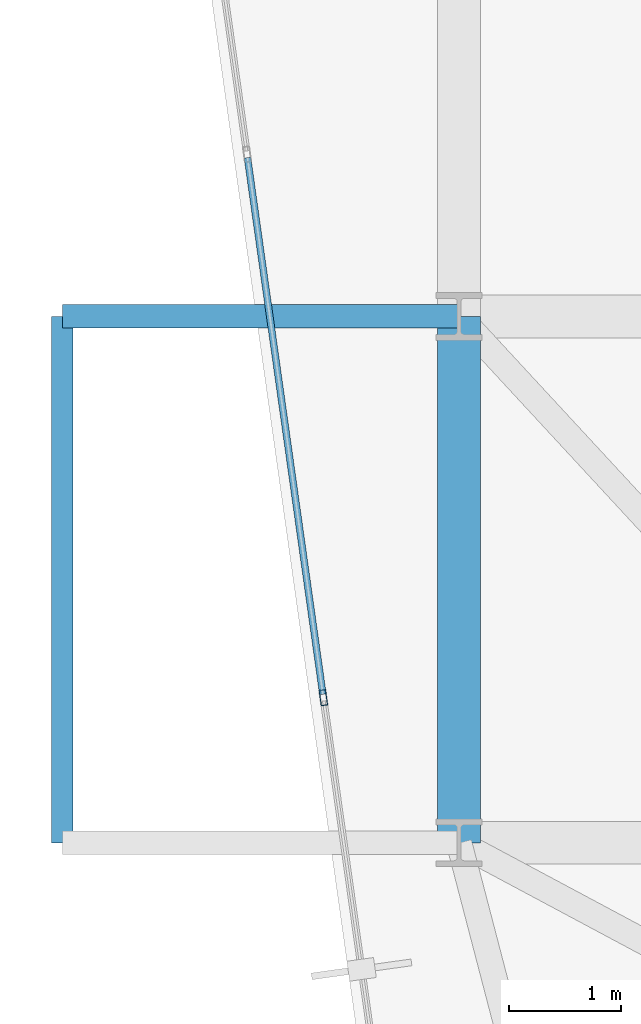
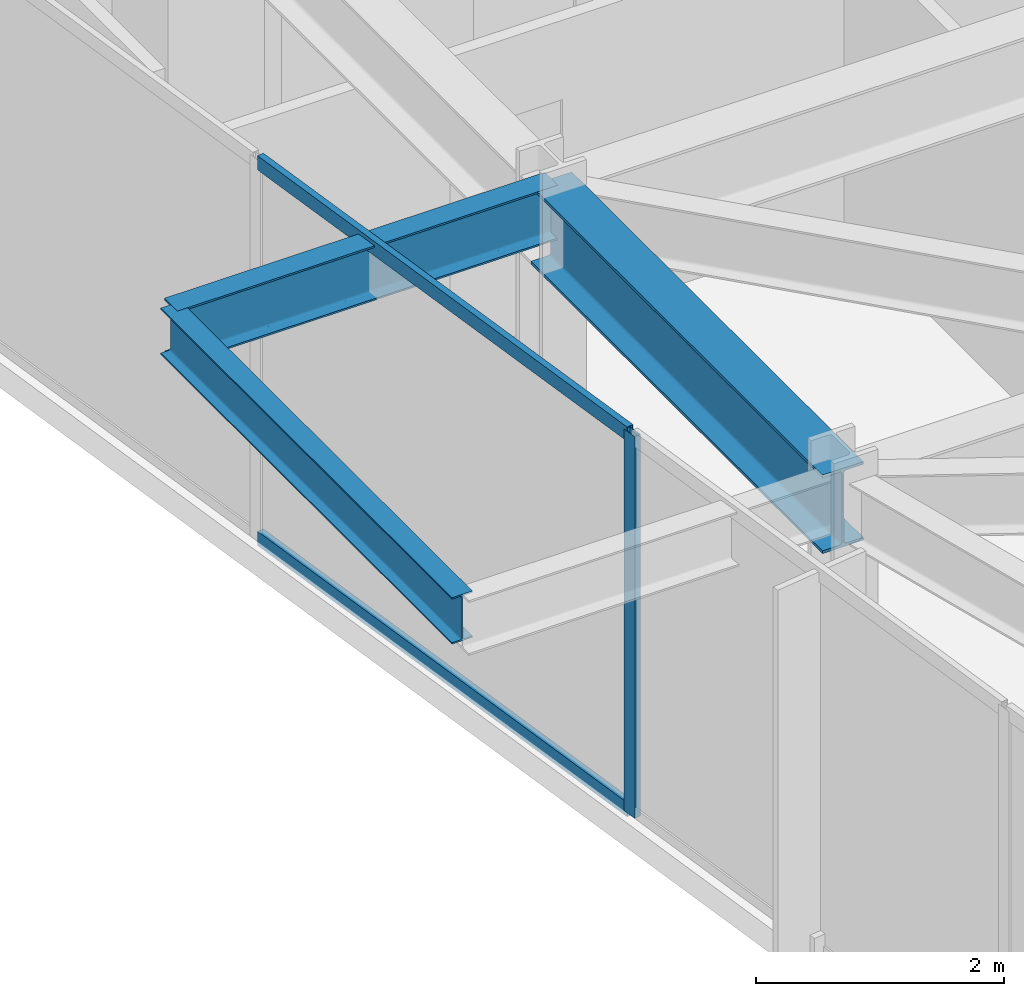
# One storey, part 9 of 26: 3 beams, 3 members, 1 element without a shape of its own.
"""IFC4 building model written with IfcOpenShell, lengths in metres."""

from ifc_helpers import new_model, si_unit, direction, frame, origin, origin_2d, place, context, subcontext, project, spatial, hollow_rectangle, i_section, extrude, material, layer, layer_set, material_profile, profile_set, type_object, element, aggregate, save


model = new_model("IFC4")

# Units and contexts
model_context = context("Model", 3, precision=1e-05, world=origin(), true_north=direction((0.0, 1.0)))
body_context = subcontext(model_context, "Body", "Model", "MODEL_VIEW")
ifc_project = project(units=[si_unit("LENGTHUNIT", "METRE"), si_unit("AREAUNIT", "SQUARE_METRE"), si_unit("VOLUMEUNIT", "CUBIC_METRE"), si_unit("PLANEANGLEUNIT", "RADIAN"), si_unit("MASSUNIT", "GRAM", prefix="KILO")], contexts=[model_context])

# Site, building, storey
site_placement = place(None, origin())
site = spatial("IfcSite", under=ifc_project, at=site_placement, CompositionType="ELEMENT")
building_placement = place(site_placement, origin())
building = spatial("IfcBuilding", under=site, at=building_placement, Name="Kravanh Interchange Tower", CompositionType="ELEMENT")
storey_placement = place(building_placement, frame((0.0, 0.0, 180.5)))
storey = spatial("IfcBuildingStorey", under=building, at=storey_placement, Name="L43", CompositionType="ELEMENT", Elevation=180.5)

# Curtain wall, members
ifc_material_1 = material(Name="Anodised Bronze Aluminium", Category="aluminium")
ifc_layer = layer(ifc_material_1, 0.179931640625)
ifc_layer_set = layer_set([ifc_layer], Name="Unitised Curtain Wall System CW-Z3 Upper Office")
curtain_wall_type = type_object("IfcCurtainWallType", Name="Unitised Curtain Wall System CW-Z3 Upper Office", PredefinedType="NOTDEFINED", material=ifc_layer_set)
curtain_wall_placement = place(storey_placement, origin())
curtain_wall = element("IfcCurtainWall", 1, at=curtain_wall_placement, inside=storey, type_object=curtain_wall_type, Name="L43 Unitised Curtain Wall CW-L43-01", PredefinedType="NOTDEFINED")
ifc_material_2 = material(Name="Anodised Bronze Aluminium", Category="aluminium")
ifc_material_profile_1 = material_profile(ifc_material_2, hollow_rectangle(XDim=0.06005859375, YDim=0.139892578125, WallThickness=0.00390625, at=origin_2d()), Name="ALU60X140X4")
ifc_profile_set_1 = profile_set([ifc_material_profile_1], Name="Anodised Bronze Aluminium")
member_type_1 = type_object("IfcMemberType", Name="Curtain Wall Mullion ALU60X140X4 Bronze", PredefinedType="MULLION", material=ifc_profile_set_1)
member_1_placement = place(storey_placement, frame((17.388671875, 28.09619140625, 0.0), z_axis=(0.0, 0.0, 1.0), x_axis=(-0.990268194035, -0.139172209446, 0.0)))
member_1 = element("IfcMember", 2, at=member_1_placement, type_object=member_type_1, Name="CW-Z3 mullion 4", PredefinedType="MULLION", context=body_context, shape_type="SweptSolid", body=[
    extrude(hollow_rectangle(XDim=0.06005859375, YDim=0.139892578125, WallThickness=0.00390625, at=origin_2d()), origin(), (0.0, 0.0, 1.0), 3.7548828125),
])
ifc_material_3 = material(Name="Anodised Bronze Aluminium", Category="aluminium")
ifc_material_profile_2 = material_profile(ifc_material_3, hollow_rectangle(XDim=0.06005859375, YDim=0.139892578125, WallThickness=0.00390625, at=origin_2d()), Name="ALU60X140X4")
ifc_profile_set_2 = profile_set([ifc_material_profile_2], Name="Anodised Bronze Aluminium")
member_type_2 = type_object("IfcMemberType", Name="Curtain Wall Transom ALU60X140X4 Bronze", PredefinedType="USERDEFINED", material=ifc_profile_set_2)
member_2_placement = place(storey_placement, frame((17.384521484375, 28.1259765625, 0.030029296875), z_axis=(-0.139182174391, 0.990266793512, 0.0), x_axis=(-0.990266793512, -0.139182174391, 0.0)))
member_2 = element("IfcMember", 3, at=member_2_placement, type_object=member_type_2, Name="CW-Z3 transom 4.1", ObjectType="TRANSOM", PredefinedType="USERDEFINED", context=body_context, shape_type="SweptSolid", body=[
    extrude(hollow_rectangle(XDim=0.06005859375, YDim=0.139892578125, WallThickness=0.00390625, at=origin_2d()), origin(), (0.0, 0.0, 1.0), 4.839599609375),
])
member_3_placement = place(storey_placement, frame((17.384521484375, 28.1259765625, 3.72509765625), z_axis=(-0.139182174391, 0.990266793512, 0.0), x_axis=(-0.990266793512, -0.139182174391, 0.0)))
member_3 = element("IfcMember", 4, at=member_3_placement, type_object=member_type_2, Name="CW-Z3 transom 4.2", ObjectType="TRANSOM", PredefinedType="USERDEFINED", context=body_context, shape_type="SweptSolid", body=[
    extrude(hollow_rectangle(XDim=0.06005859375, YDim=0.139892578125, WallThickness=0.00390625, at=origin_2d()), origin(), (0.0, 0.0, 1.0), 4.839599609375),
])
aggregate(curtain_wall, [member_1, member_2, member_3])

# Beams
ifc_material_4 = material(Name="Structural Steel S355", Category="steel")
ifc_material_profile_3 = material_profile(ifc_material_4, i_section(OverallWidth=0.381103515625, OverallDepth=0.77294921875, WebThickness=0.0166015625, FlangeThickness=0.027099609375, FilletRadius=0.02490234375, at=origin_2d()), Name="W30X173")
ifc_profile_set_3 = profile_set([ifc_material_profile_3], Name="Structural Steel S355")
beam_type_1 = type_object("IfcBeamType", Name="Floor Beam W30X173 Structural Steel S355", PredefinedType="BEAM", material=ifc_profile_set_3)
beam_1_placement = place(storey_placement, frame((18.60009765625, 26.800048828125, 3.368408203125), z_axis=(0.0, 1.0, 0.0), x_axis=(-1.0, 0.0, 0.0)))
element("IfcBeam", 5, at=beam_1_placement, inside=storey, type_object=beam_type_1, Name="L43 Primary Floor Girder 33", PredefinedType="BEAM", context=body_context, shape_type="SweptSolid", body=[
    extrude(i_section(OverallWidth=0.381103515625, OverallDepth=0.77294921875, WebThickness=0.0166015625, FlangeThickness=0.027099609375, FilletRadius=0.02490234375, at=origin_2d()), origin(), (0.0, 0.0, 1.0), 4.699951171875),
])
ifc_material_5 = material(Name="Structural Steel S355", Category="steel")
ifc_material_profile_4 = material_profile(ifc_material_5, i_section(OverallWidth=0.18994140625, OverallDepth=0.45703125, WebThickness=0.009033203125, FlangeThickness=0.014404296875, FilletRadius=0.01806640625, at=origin_2d()), Name="W18X50")
ifc_profile_set_4 = profile_set([ifc_material_profile_4], Name="Structural Steel S355")
beam_type_2 = type_object("IfcBeamType", Name="Floor Joist W18X50 Structural Steel S355", PredefinedType="JOIST", material=ifc_profile_set_4)
beam_2_placement = place(storey_placement, frame((15.05810546875, 26.800048828125, 3.526611328125), z_axis=(0.0, 1.0, 0.0), x_axis=(-1.0, 0.0, 0.0)))
element("IfcBeam", 6, at=beam_2_placement, inside=storey, type_object=beam_type_2, Name="L43 Balcony Edge Tie Beam W", PredefinedType="JOIST", context=body_context, shape_type="SweptSolid", body=[
    extrude(i_section(OverallWidth=0.18994140625, OverallDepth=0.45703125, WebThickness=0.009033203125, FlangeThickness=0.014404296875, FilletRadius=0.01806640625, at=origin_2d()), origin(), (0.0, 0.0, 1.0), 4.699951171875),
])
ifc_material_6 = material(Name="Structural Steel S355", Category="steel")
ifc_material_profile_5 = material_profile(ifc_material_6, i_section(OverallWidth=0.2099609375, OverallDepth=0.537109375, WebThickness=0.010986328125, FlangeThickness=0.017333984375, FilletRadius=0.02001953125, at=origin_2d()), Name="W21X68")
ifc_profile_set_5 = profile_set([ifc_material_profile_5], Name="Structural Steel S355")
beam_type_3 = type_object("IfcBeamType", Name="Floor Spandrel W21X68 Structural Steel S355", PredefinedType="SPANDREL", material=ifc_profile_set_5)
beam_3_placement = place(storey_placement, frame((18.60009765625, 31.5, 3.486572265625), z_axis=(-1.0, 0.0, 0.0), x_axis=(0.0, -1.0, 0.0)))
element("IfcBeam", 7, at=beam_3_placement, inside=storey, type_object=beam_type_3, Name="L43 Balcony Cantilever Outrigger W2", PredefinedType="SPANDREL", context=body_context, shape_type="SweptSolid", body=[
    extrude(i_section(OverallWidth=0.2099609375, OverallDepth=0.537109375, WebThickness=0.010986328125, FlangeThickness=0.017333984375, FilletRadius=0.02001953125, at=origin_2d()), origin(), (0.0, 0.0, 1.0), 3.5419921875),
])

save(model, "model.ifc")
